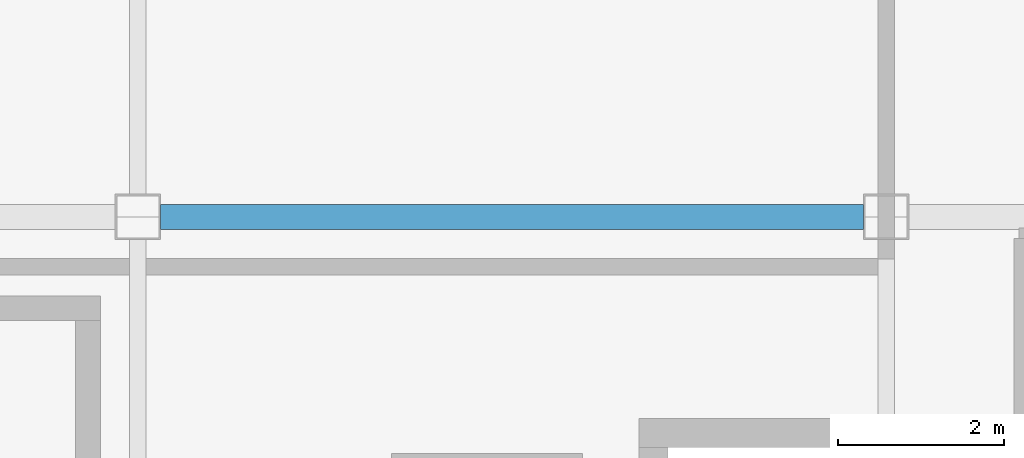
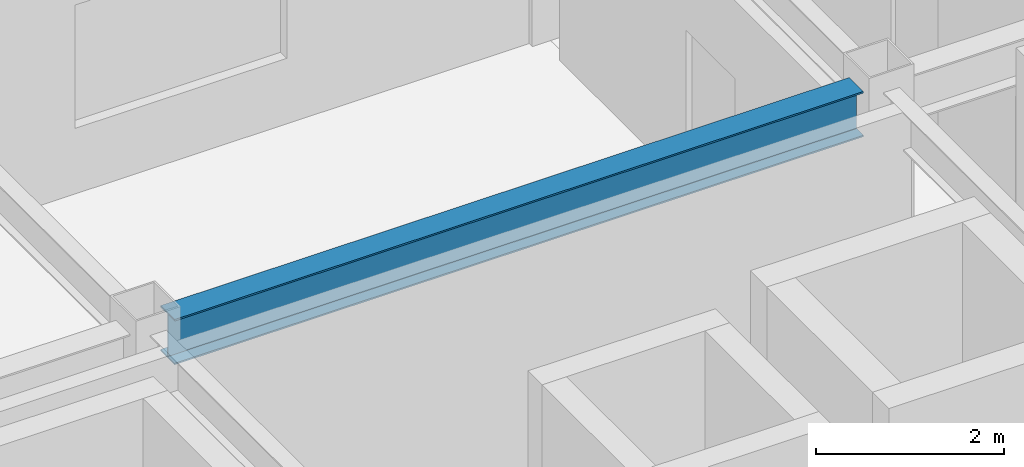
# One storey, part 56 of 122: 1 beam.
"""IFC4 building model written with IfcOpenShell, lengths in metres."""

from ifc_helpers import new_model, si_unit, direction, frame, origin, origin_2d, place, context, subcontext, project, spatial, i_section, extrude, material, material_profile, profile_set, type_object, element, save


model = new_model("IFC4")

# Units and contexts
model_context = context("Model", 3, precision=1e-05, world=origin(), true_north=direction((0.0, 1.0)))
body_context = subcontext(model_context, "Body", "Model", "MODEL_VIEW")
ifc_project = project(units=[si_unit("LENGTHUNIT", "METRE"), si_unit("AREAUNIT", "SQUARE_METRE"), si_unit("VOLUMEUNIT", "CUBIC_METRE"), si_unit("PLANEANGLEUNIT", "RADIAN"), si_unit("MASSUNIT", "GRAM", prefix="KILO")], contexts=[model_context])

# Site, building, storey
site_placement = place(None, origin())
site = spatial("IfcSite", under=ifc_project, at=site_placement, CompositionType="ELEMENT")
building_placement = place(site_placement, origin())
building = spatial("IfcBuilding", under=site, at=building_placement, Name="Kazanami Central Library", CompositionType="ELEMENT")
storey_placement = place(building_placement, frame((0.0, 0.0, 4.800048828125)))
storey = spatial("IfcBuildingStorey", under=building, at=storey_placement, Name="L02", CompositionType="ELEMENT", Elevation=4.800048828125)

# Beam
ifc_material = material(Name="Steel SN490B (325 MPa)", Category="steel")
ifc_material_profile = material_profile(ifc_material, i_section(OverallWidth=0.300048828125, OverallDepth=0.587890625, WebThickness=0.011962890625, FlangeThickness=0.02001953125, at=origin_2d()), Name="H-588x300x12x20")
ifc_profile_set = profile_set([ifc_material_profile], Name="Steel SN490B (325 MPa)")
beam_type = type_object("IfcBeamType", Name="BM-G-X2", PredefinedType="BEAM", material=ifc_profile_set)
beam_placement = place(storey_placement, frame((9.27294921875, 86.39990234375, 3.4609375), z_axis=(1.0, 0.0, 0.0), x_axis=(0.0, 1.0, 0.0)))
element("IfcBeam", 1, at=beam_placement, inside=storey, type_object=beam_type, Name="Girder G-X2 L02 N/2-3", PredefinedType="BEAM", context=body_context, shape_type="SweptSolid", body=[
    extrude(i_section(OverallWidth=0.300048828125, OverallDepth=0.587890625, WebThickness=0.011962890625, FlangeThickness=0.02001953125, at=origin_2d()), origin(), (0.0, 0.0, 1.0), 8.4541015625),
])

save(model, "model.ifc")
